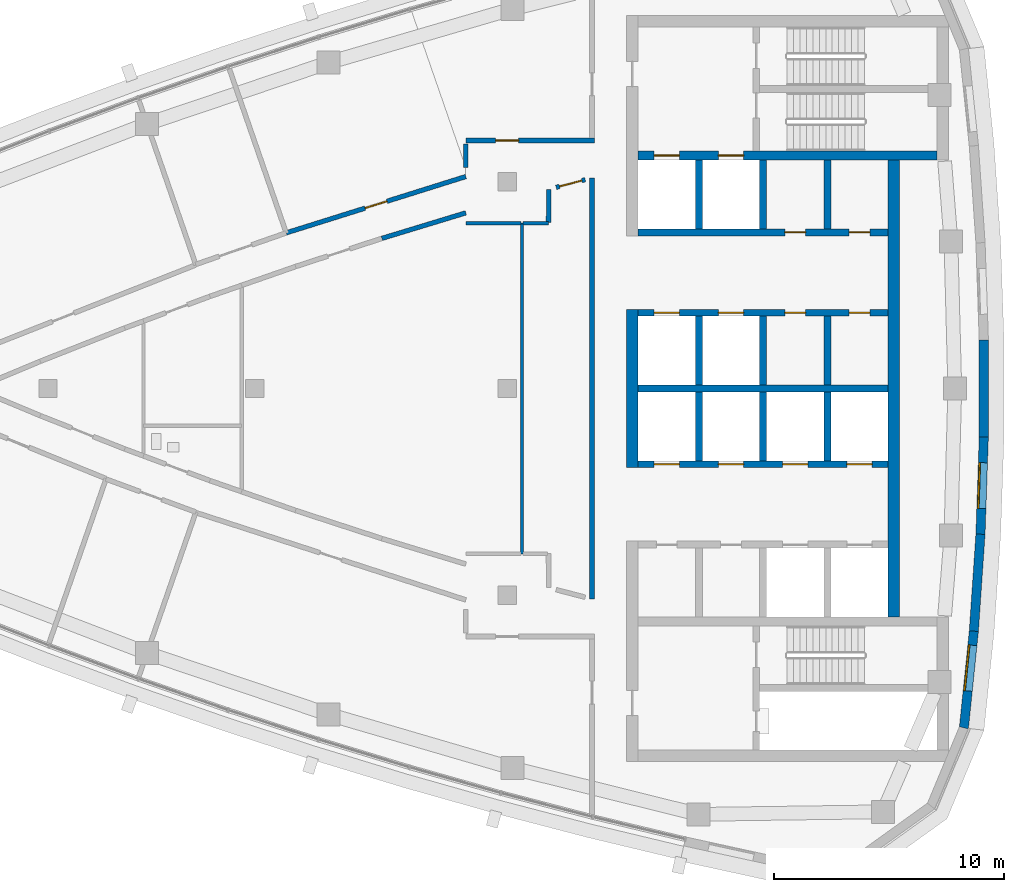
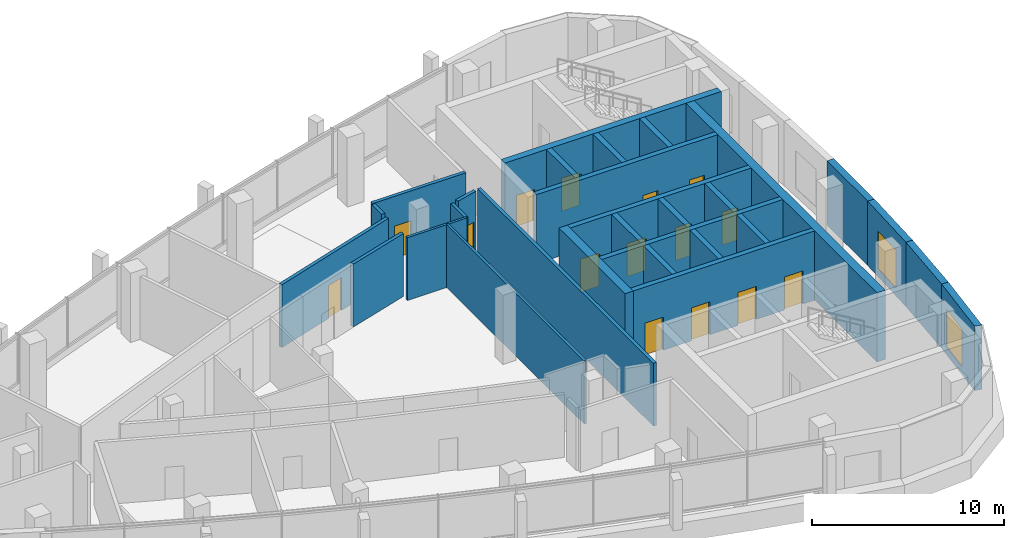
# One storey, part 9 of 15: 30 walls, 15 doors, 2 windows, 17 openings.
"""IFC4 building model written with IfcOpenShell, lengths in metres."""

import ifcopenshell
import ifcopenshell.guid

model = None  # the IFC model being written
_history = None  # IfcOwnerHistory: only IFC2X3 demands one
_inside = {}  # id of a spatial element -> (the spatial element, [elements in it])
_under = {}  # id of a project, library or spatial element -> (it, [spatial elements below it])
_declared = {}  # id of a project -> (the project, [libraries it declares])
_typed = {}  # id of a type object -> (the type object, [elements of that type])
_made_of = {}  # id of a material, layer set ... -> (it, [elements and type objects made of it])


def new_model(schema):
    """Start an empty IFC model of exactly this schema.

    Asked for "IFC4X3", IfcOpenShell would pick the latest addendum, in which some entities
    have other attributes; the version numbers below select the first issue.
    IFC2X3 requires an IfcOwnerHistory on every rooted entity: one is made here for all.
    """
    global model, _history
    if schema == "IFC4X3":
        model = ifcopenshell.file(schema_version=(4, 3, 0, 0))
    else:
        model = ifcopenshell.file(schema=schema)
    _inside.clear()
    _under.clear()
    _declared.clear()
    _typed.clear()
    _made_of.clear()
    _history = None
    if model.schema == "IFC2X3":
        org = make("IfcOrganization", Name="unknown")
        user = make(
            "IfcPersonAndOrganization",
            ThePerson=make("IfcPerson", FamilyName="unknown"),
            TheOrganization=org,
        )
        app = make(
            "IfcApplication",
            ApplicationDeveloper=org,
            Version="unknown",
            ApplicationFullName="unknown",
            ApplicationIdentifier="unknown",
        )
        _history = make(
            "IfcOwnerHistory",
            OwningUser=user,
            OwningApplication=app,
            ChangeAction="ADDED",
            CreationDate=0,
        )
    return model


def make(cls, **values):
    """One entity of the class cls with the attributes given. An attribute that is None is left unset."""
    return model.create_entity(
        cls, **{name: value for name, value in values.items() if value is not None}
    )


def rooted(cls, **values):
    """An entity with a GlobalId (a new one), such as an element, a storey or a relation."""
    return make(cls, GlobalId=ifcopenshell.guid.new(), OwnerHistory=_history, **values)


def si_unit(unit_type, name, prefix=None):
    """IfcSIUnit, for example si_unit("LENGTHUNIT", "METRE", prefix="MILLI")."""
    return make("IfcSIUnit", UnitType=unit_type, Prefix=prefix, Name=name)


def assignment(units):
    """IfcUnitAssignment: the units of a project."""
    return None if units is None else make("IfcUnitAssignment", Units=units)


def point(xyz):
    """IfcCartesianPoint."""
    return None if xyz is None else make("IfcCartesianPoint", Coordinates=xyz)


def direction(xyz):
    """IfcDirection."""
    return None if xyz is None else make("IfcDirection", DirectionRatios=xyz)


def frame(location, z_axis=None, x_axis=None):
    """IfcAxis2Placement3D, a coordinate frame: its origin and axes. An axis left out is left unset."""
    return make(
        "IfcAxis2Placement3D",
        Location=point(location),
        Axis=direction(z_axis),
        RefDirection=direction(x_axis),
    )


def frame_2d(location, x_axis=None):
    """IfcAxis2Placement2D, a coordinate frame in the plane: its origin and x axis."""
    return make(
        "IfcAxis2Placement2D", Location=point(location), RefDirection=direction(x_axis)
    )


def origin():
    """The frame at (0, 0, 0) with its axes left unset."""
    return frame((0.0, 0.0, 0.0))


def place(relative_to, where):
    """IfcLocalPlacement: puts the frame where relative to a parent placement (None: the world)."""
    return make(
        "IfcLocalPlacement", PlacementRelTo=relative_to, RelativePlacement=where
    )


def context(
    kind, dimensions, precision=None, world=None, true_north=None, identifier=None
):
    """IfcGeometricRepresentationContext, for example the 3D "Model" context."""
    return make(
        "IfcGeometricRepresentationContext",
        ContextIdentifier=identifier,
        ContextType=kind,
        CoordinateSpaceDimension=dimensions,
        Precision=precision,
        WorldCoordinateSystem=world,
        TrueNorth=true_north,
    )


def subcontext(parent, identifier, kind, view, scale=None):
    """IfcGeometricRepresentationSubContext, for example "Body" below "Model"."""
    return make(
        "IfcGeometricRepresentationSubContext",
        ContextIdentifier=identifier,
        ContextType=kind,
        ParentContext=parent,
        TargetScale=scale,
        TargetView=view,
    )


def project(units=None, contexts=None):
    """IfcProject with its units and contexts."""
    return rooted(
        "IfcProject",
        Name="project",
        RepresentationContexts=contexts,
        UnitsInContext=assignment(units),
    )


def spatial(cls, under=None, at=None, **own):
    """A site, building, storey or space (cls), placed at a placement, below another one or the project."""
    s = rooted(cls, ObjectPlacement=at, **own)
    if under is not None:
        _under.setdefault(under.id(), (under, []))[1].append(s)
    return s


def polyline(points):
    """IfcPolyline through the points."""
    return make("IfcPolyline", Points=[point(p) for p in points])


def profile(cls, at=None, kind="AREA", **sizes):
    """A parametric profile (cls). Its sizes go by their IFC names, for example OverallWidth=200.0."""
    return make(cls, ProfileType=kind, Position=at, **sizes)


def rectangle(**sizes):
    """IfcRectangleProfileDef."""
    return profile("IfcRectangleProfileDef", **sizes)


def outline(outer, holes=None, kind="AREA"):
    """IfcArbitraryClosedProfileDef: a profile drawn as a closed curve; with holes, ...WithVoids."""
    if holes is None:
        return make("IfcArbitraryClosedProfileDef", ProfileType=kind, OuterCurve=outer)
    return make(
        "IfcArbitraryProfileDefWithVoids",
        ProfileType=kind,
        OuterCurve=outer,
        InnerCurves=holes,
    )


def extrude(swept, where, along, depth):
    """IfcExtrudedAreaSolid: the profile swept, set in the frame where, extruded along a direction by depth."""
    return make(
        "IfcExtrudedAreaSolid",
        SweptArea=swept,
        Position=where,
        ExtrudedDirection=direction(along),
        Depth=depth,
    )


def shape(context_of_items, identifier, shape_type, items):
    """IfcShapeRepresentation: the items that make up one representation, for example the "Body"."""
    return make(
        "IfcShapeRepresentation",
        ContextOfItems=context_of_items,
        RepresentationIdentifier=identifier,
        RepresentationType=shape_type,
        Items=items,
    )


def material(Name=None, Category=None):
    """IfcMaterial."""
    return make("IfcMaterial", Name=Name, Category=Category)


def layer(
    of_material, thickness, ventilated=None, Name=None, Category=None, Priority=None
):
    """IfcMaterialLayer: one layer of a wall or slab, of a material (None: an air gap)."""
    return make(
        "IfcMaterialLayer",
        Material=of_material,
        LayerThickness=thickness,
        IsVentilated=ventilated,
        Name=Name,
        Category=Category,
        Priority=Priority,
    )


def layer_set(layers, Name=None):
    """IfcMaterialLayerSet."""
    return make("IfcMaterialLayerSet", MaterialLayers=layers, LayerSetName=Name)


def made_of(thing, what):
    """Note that an element or type object is made of a material, layer set ...; save() writes the relation."""
    if what is not None:
        _made_of.setdefault(what.id(), (what, []))[1].append(thing)
    return thing


def type_object(cls, material=None, **own):
    """A type object (cls), such as IfcWallType, which elements share."""
    return made_of(rooted(cls, **own), material)


def element(
    cls,
    number,
    at=None,
    inside=None,
    cuts=None,
    type_object=None,
    material=None,
    context=None,
    identifier="Body",
    shape_type=None,
    held_by="IfcProductDefinitionShape",
    body=None,
    shapes=None,
    **own,
):
    """One element of the class cls, such as IfcWall. Its Tag is "e" and its number.

    at: its placement. inside: the storey or other place that contains it. cuts: it is an
    opening in that element (IfcRelVoidsElement). A single representation is given by context,
    identifier, shape_type and body (its items); several are given by shapes. held_by: the class
    of the entity that holds the representations. save() writes the other relations.
    """
    e = rooted(cls, Tag="e%d" % number, ObjectPlacement=at, **own)
    if body is not None:
        shapes = [shape(context, identifier, shape_type, body)]
    if shapes is not None:
        e.Representation = make(held_by, Representations=shapes)
    if inside is not None:
        _inside.setdefault(inside.id(), (inside, []))[1].append(e)
    if cuts is not None:
        rooted(
            "IfcRelVoidsElement", RelatingBuildingElement=cuts, RelatedOpeningElement=e
        )
    if type_object is not None:
        _typed.setdefault(type_object.id(), (type_object, []))[1].append(e)
    return made_of(e, material)


def fill(opening, filler):
    """IfcRelFillsElement: the door or window that sits in an opening."""
    return rooted(
        "IfcRelFillsElement",
        RelatingOpeningElement=opening,
        RelatedBuildingElement=filler,
    )


def aggregate(whole, parts):
    """IfcRelAggregates: a whole, such as a stair, and the parts it consists of."""
    return rooted("IfcRelAggregates", RelatingObject=whole, RelatedObjects=parts)


def save(model, path):
    """Write the relations noted so far, then the file.

    IfcRelAggregates (storeys below a building ...), IfcRelContainedInSpatialStructure (elements
    in a storey), IfcRelDefinesByType, IfcRelAssociatesMaterial and IfcRelDeclares: one each for
    every whole, place, type object, material and project.
    """
    for whole, parts in _under.values():
        aggregate(whole, parts)
    for where, things in _inside.values():
        rooted(
            "IfcRelContainedInSpatialStructure",
            RelatedElements=things,
            RelatingStructure=where,
        )
    for kind, things in _typed.values():
        rooted("IfcRelDefinesByType", RelatedObjects=things, RelatingType=kind)
    for what, things in _made_of.values():
        rooted("IfcRelAssociatesMaterial", RelatedObjects=things, RelatingMaterial=what)
    for by, libraries in _declared.values():
        rooted("IfcRelDeclares", RelatingContext=by, RelatedDefinitions=libraries)
    model.write(path)


model = new_model("IFC4")

# Units and contexts
model_context = context("Model", 3, precision=1e-05, world=origin(), true_north=direction((0.0, 1.0)))
body_context = subcontext(model_context, "Body", "Model", "MODEL_VIEW")
ifc_project = project(units=[si_unit("LENGTHUNIT", "METRE"), si_unit("AREAUNIT", "SQUARE_METRE"), si_unit("VOLUMEUNIT", "CUBIC_METRE"), si_unit("PLANEANGLEUNIT", "RADIAN"), si_unit("MASSUNIT", "GRAM", prefix="KILO")], contexts=[model_context])

# Site, building, storey
site_placement = place(None, origin())
site = spatial("IfcSite", under=ifc_project, at=site_placement, CompositionType="ELEMENT")
building_placement = place(site_placement, origin())
building = spatial("IfcBuilding", under=site, at=building_placement, Name="Ostrand Prow Hotel Tower", CompositionType="ELEMENT")
storey_placement = place(building_placement, frame((0.0, 0.0, 318.60009765625)))
storey = spatial("IfcBuildingStorey", under=building, at=storey_placement, Name="C3", CompositionType="ELEMENT", Elevation=318.60009765625)

# Wall
ifc_material_1 = material(Name="Concrete C40/50", Category="concrete")
ifc_layer_1 = layer(ifc_material_1, 0.300048828125)
ifc_layer_set_1 = layer_set([ifc_layer_1], Name="Concrete C40/50")
wall_type_1 = type_object("IfcWallType", Name="Core wall 300 C40/50", PredefinedType="SHEAR", material=ifc_layer_set_1)
wall_1_placement = place(storey_placement, frame((50.699951171875, 0.0, 0.0), z_axis=(0.0, 0.0, 1.0), x_axis=(1.0, 0.0, 0.0)))
element("IfcWall", 1, at=wall_1_placement, inside=storey, type_object=wall_type_1, Name="Core wall PW-C", PredefinedType="SHEAR", context=body_context, shape_type="SweptSolid", body=[
    extrude(rectangle(XDim=10.900146484375, YDim=0.300048828125, at=frame_2d((5.4501953125, 0.0))), origin(), (0.0, 0.0, 1.0), 4.39990234375),
])

# Wall, openings, doors
wall_2_placement = place(storey_placement, frame((50.699951171875, 3.300048828125, 0.0), z_axis=(0.0, 0.0, 1.0), x_axis=(1.0, 0.0, 0.0)))
wall_2 = element("IfcWall", 2, at=wall_2_placement, inside=storey, type_object=wall_type_1, Name="Core wall PW-L1-N", PredefinedType="SHEAR", context=body_context, shape_type="SweptSolid", body=[
    extrude(rectangle(XDim=10.900146484375, YDim=0.300048828125, at=frame_2d((5.4501953125, 0.0))), origin(), (0.0, 0.0, 1.0), 4.39990234375),
])
opening_1_placement = place(wall_2_placement, frame((0.699951171875, 0.0, 0.0)))
opening_1 = element("IfcOpeningElement", 3, at=opening_1_placement, cuts=wall_2, Name="Opening LD", PredefinedType="OPENING", context=body_context, shape_type="SweptSolid", body=[
    extrude(rectangle(XDim=1.10009765625, YDim=2.10009765625, at=frame_2d((0.550048828125, 1.050048828125))), frame((0.0, 0.159912109375, 0.0), z_axis=(0.0, -1.0, 0.0), x_axis=(1.0, 0.0, 0.0)), (0.0, 0.0, 1.0), 0.320068359375),
])
opening_2_placement = place(wall_2_placement, frame((3.5, 0.0, 0.0)))
opening_2 = element("IfcOpeningElement", 4, at=opening_2_placement, cuts=wall_2, Name="Opening LD", PredefinedType="OPENING", context=body_context, shape_type="SweptSolid", body=[
    extrude(rectangle(XDim=1.10009765625, YDim=2.10009765625, at=frame_2d((0.550048828125, 1.050048828125))), frame((0.0, 0.159912109375, 0.0), z_axis=(0.0, -1.0, 0.0), x_axis=(1.0, 0.0, 0.0)), (0.0, 0.0, 1.0), 0.320068359375),
])
opening_3_placement = place(wall_2_placement, frame((6.39990234375, 0.0, 0.0)))
opening_3 = element("IfcOpeningElement", 5, at=opening_3_placement, cuts=wall_2, Name="Opening FD2", PredefinedType="OPENING", context=body_context, shape_type="SweptSolid", body=[
    extrude(rectangle(XDim=0.89990234375, YDim=2.10009765625, at=frame_2d((0.449951171875, 1.050048828125))), frame((0.0, 0.159912109375, 0.0), z_axis=(0.0, -1.0, 0.0), x_axis=(1.0, 0.0, 0.0)), (0.0, 0.0, 1.0), 0.320068359375),
])
opening_4_placement = place(wall_2_placement, frame((9.199951171875, 0.0, 0.0)))
opening_4 = element("IfcOpeningElement", 6, at=opening_4_placement, cuts=wall_2, Name="Opening FD2", PredefinedType="OPENING", context=body_context, shape_type="SweptSolid", body=[
    extrude(rectangle(XDim=0.89990234375, YDim=2.10009765625, at=frame_2d((0.449951171875, 1.050048828125))), frame((0.0, 0.159912109375, 0.0), z_axis=(0.0, -1.0, 0.0), x_axis=(1.0, 0.0, 0.0)), (0.0, 0.0, 1.0), 0.320068359375),
])
ifc_material_2 = material(Name="Steel fire door", Category="steel")
door_type_1 = type_object("IfcDoorType", Name="Fire door 900 EI120", OperationType="SINGLE_SWING_LEFT", PredefinedType="DOOR", material=ifc_material_2)
door_1_placement = place(opening_3_placement, origin())
door_1 = element("IfcDoor", 7, at=door_1_placement, inside=storey, type_object=door_type_1, Name="DOOR", OperationType="SINGLE_SWING_LEFT", OverallHeight=2.10009765625, OverallWidth=0.89990234375, PredefinedType="DOOR", context=body_context, shape_type="SweptSolid", body=[
    extrude(rectangle(XDim=0.89990234375, YDim=2.10009765625, at=frame_2d((0.449951171875, 1.050048828125))), frame((0.0, 0.02490234375, 0.0), z_axis=(0.0, -1.0, 0.0), x_axis=(1.0, 0.0, 0.0)), (0.0, 0.0, 1.0), 0.050048828125),
])
fill(opening_3, door_1)
door_2_placement = place(opening_4_placement, origin())
door_2 = element("IfcDoor", 8, at=door_2_placement, inside=storey, type_object=door_type_1, Name="DOOR", OperationType="SINGLE_SWING_LEFT", OverallHeight=2.10009765625, OverallWidth=0.89990234375, PredefinedType="DOOR", context=body_context, shape_type="SweptSolid", body=[
    extrude(rectangle(XDim=0.89990234375, YDim=2.10009765625, at=frame_2d((0.449951171875, 1.050048828125))), frame((0.0, 0.02490234375, 0.0), z_axis=(0.0, -1.0, 0.0), x_axis=(1.0, 0.0, 0.0)), (0.0, 0.0, 1.0), 0.050048828125),
])
fill(opening_4, door_2)
ifc_material_3 = material(Name="Stainless steel door", Category="steel")
door_type_2 = type_object("IfcDoorType", Name="Lift landing door 1100", OperationType="DOUBLE_DOOR_SLIDING", PredefinedType="DOOR", material=ifc_material_3)
door_3_placement = place(opening_1_placement, origin())
door_3 = element("IfcDoor", 9, at=door_3_placement, inside=storey, type_object=door_type_2, Name="LIFT LANDING DOOR", OperationType="DOUBLE_DOOR_SLIDING", OverallHeight=2.10009765625, OverallWidth=1.10009765625, PredefinedType="DOOR", context=body_context, shape_type="SweptSolid", body=[
    extrude(rectangle(XDim=1.10009765625, YDim=2.10009765625, at=frame_2d((0.550048828125, 1.050048828125))), frame((0.0, 0.02490234375, 0.0), z_axis=(0.0, -1.0, 0.0), x_axis=(1.0, 0.0, 0.0)), (0.0, 0.0, 1.0), 0.050048828125),
])
fill(opening_1, door_3)
door_4_placement = place(opening_2_placement, origin())
door_4 = element("IfcDoor", 10, at=door_4_placement, inside=storey, type_object=door_type_2, Name="LIFT LANDING DOOR", OperationType="DOUBLE_DOOR_SLIDING", OverallHeight=2.10009765625, OverallWidth=1.10009765625, PredefinedType="DOOR", context=body_context, shape_type="SweptSolid", body=[
    extrude(rectangle(XDim=1.10009765625, YDim=2.10009765625, at=frame_2d((0.550048828125, 1.050048828125))), frame((0.0, 0.02490234375, 0.0), z_axis=(0.0, -1.0, 0.0), x_axis=(1.0, 0.0, 0.0)), (0.0, 0.0, 1.0), 0.050048828125),
])
fill(opening_2, door_4)

wall_3_placement = place(storey_placement, frame((50.699951171875, 6.800048828125, 0.0), z_axis=(0.0, 0.0, 1.0), x_axis=(1.0, 0.0, 0.0)))
wall_3 = element("IfcWall", 11, at=wall_3_placement, inside=storey, type_object=wall_type_1, Name="Core wall PW-L2-N", PredefinedType="SHEAR", context=body_context, shape_type="SweptSolid", body=[
    extrude(rectangle(XDim=10.900146484375, YDim=0.300048828125, at=frame_2d((5.4501953125, 0.0))), origin(), (0.0, 0.0, 1.0), 4.39990234375),
])
opening_5_placement = place(wall_3_placement, frame((6.39990234375, 0.0, 0.0)))
opening_5 = element("IfcOpeningElement", 12, at=opening_5_placement, cuts=wall_3, Name="Opening FD2", PredefinedType="OPENING", context=body_context, shape_type="SweptSolid", body=[
    extrude(rectangle(XDim=0.89990234375, YDim=2.10009765625, at=frame_2d((0.449951171875, 1.050048828125))), frame((0.0, 0.159912109375, 0.0), z_axis=(0.0, -1.0, 0.0), x_axis=(1.0, 0.0, 0.0)), (0.0, 0.0, 1.0), 0.320068359375),
])
opening_6_placement = place(wall_3_placement, frame((9.199951171875, 0.0, 0.0)))
opening_6 = element("IfcOpeningElement", 13, at=opening_6_placement, cuts=wall_3, Name="Opening FD2", PredefinedType="OPENING", context=body_context, shape_type="SweptSolid", body=[
    extrude(rectangle(XDim=0.89990234375, YDim=2.10009765625, at=frame_2d((0.449951171875, 1.050048828125))), frame((0.0, 0.159912109375, 0.0), z_axis=(0.0, -1.0, 0.0), x_axis=(1.0, 0.0, 0.0)), (0.0, 0.0, 1.0), 0.320068359375),
])
door_5_placement = place(opening_5_placement, origin())
door_5 = element("IfcDoor", 14, at=door_5_placement, inside=storey, type_object=door_type_1, Name="DOOR", OperationType="SINGLE_SWING_LEFT", OverallHeight=2.10009765625, OverallWidth=0.89990234375, PredefinedType="DOOR", context=body_context, shape_type="SweptSolid", body=[
    extrude(rectangle(XDim=0.89990234375, YDim=2.10009765625, at=frame_2d((0.449951171875, 1.050048828125))), frame((0.0, 0.02490234375, 0.0), z_axis=(0.0, -1.0, 0.0), x_axis=(1.0, 0.0, 0.0)), (0.0, 0.0, 1.0), 0.050048828125),
])
fill(opening_5, door_5)
door_6_placement = place(opening_6_placement, origin())
door_6 = element("IfcDoor", 15, at=door_6_placement, inside=storey, type_object=door_type_1, Name="DOOR", OperationType="SINGLE_SWING_LEFT", OverallHeight=2.10009765625, OverallWidth=0.89990234375, PredefinedType="DOOR", context=body_context, shape_type="SweptSolid", body=[
    extrude(rectangle(XDim=0.89990234375, YDim=2.10009765625, at=frame_2d((0.449951171875, 1.050048828125))), frame((0.0, 0.02490234375, 0.0), z_axis=(0.0, -1.0, 0.0), x_axis=(1.0, 0.0, 0.0)), (0.0, 0.0, 1.0), 0.050048828125),
])
fill(opening_6, door_6)

# Walls
for number, where, z_axis, x_axis, name in (
    (16, (53.35009765625, 0.14990234375, 0.0), (0.0, 0.0, 1.0), (0.0, 1.0, 0.0), "Core wall PW-R1-NB"),
    (17, (53.35009765625, 6.949951171875, 0.0), (0.0, 0.0, 1.0), (0.0, 1.0, 0.0), "Core wall PW-R1-NA"),
    (18, (56.14990234375, 0.14990234375, 0.0), (0.0, 0.0, 1.0), (0.0, 1.0, 0.0), "Core wall PW-R2-NB"),
    (19, (56.14990234375, 6.949951171875, 0.0), (0.0, 0.0, 1.0), (0.0, 1.0, 0.0), "Core wall PW-R2-NA"),
    (20, (58.949951171875, 0.14990234375, 0.0), (0.0, 0.0, 1.0), (0.0, 1.0, 0.0), "Core wall PW-R3-NB"),
    (21, (58.949951171875, 6.949951171875, 0.0), (0.0, 0.0, 1.0), (0.0, 1.0, 0.0), "Core wall PW-R3-NA"),
):
    element("IfcWall", number, at=place(storey_placement, frame(where, z_axis=z_axis, x_axis=x_axis)), inside=storey, type_object=wall_type_1, Name=name, PredefinedType="SHEAR", context=body_context, shape_type="SweptSolid", body=[
        extrude(rectangle(XDim=3.0, YDim=0.300048828125, at=frame_2d((1.5, 0.0))), origin(), (0.0, 0.0, 1.0), 4.39990234375),
    ])

# Wall, openings, doors
wall_4_placement = place(storey_placement, frame((50.699951171875, -3.300048828125, 0.0), z_axis=(0.0, 0.0, 1.0), x_axis=(1.0, 0.0, 0.0)))
wall_4 = element("IfcWall", 22, at=wall_4_placement, inside=storey, type_object=wall_type_1, Name="Core wall PW-L1-S", PredefinedType="SHEAR", context=body_context, shape_type="SweptSolid", body=[
    extrude(rectangle(XDim=10.900146484375, YDim=0.300048828125, at=frame_2d((5.4501953125, 0.0))), origin(), (0.0, 0.0, 1.0), 4.39990234375),
])
opening_7_placement = place(wall_4_placement, frame((0.699951171875, 0.0, 0.0)))
opening_7 = element("IfcOpeningElement", 23, at=opening_7_placement, cuts=wall_4, Name="Opening LD", PredefinedType="OPENING", context=body_context, shape_type="SweptSolid", body=[
    extrude(rectangle(XDim=1.10009765625, YDim=2.10009765625, at=frame_2d((0.550048828125, 1.050048828125))), frame((0.0, 0.159912109375, 0.0), z_axis=(0.0, -1.0, 0.0), x_axis=(1.0, 0.0, 0.0)), (0.0, 0.0, 1.0), 0.320068359375),
])
opening_8_placement = place(wall_4_placement, frame((3.5, 0.0, 0.0)))
opening_8 = element("IfcOpeningElement", 24, at=opening_8_placement, cuts=wall_4, Name="Opening LD", PredefinedType="OPENING", context=body_context, shape_type="SweptSolid", body=[
    extrude(rectangle(XDim=1.10009765625, YDim=2.10009765625, at=frame_2d((0.550048828125, 1.050048828125))), frame((0.0, 0.159912109375, 0.0), z_axis=(0.0, -1.0, 0.0), x_axis=(1.0, 0.0, 0.0)), (0.0, 0.0, 1.0), 0.320068359375),
])
opening_9_placement = place(wall_4_placement, frame((6.300048828125, 0.0, 0.0)))
opening_9 = element("IfcOpeningElement", 25, at=opening_9_placement, cuts=wall_4, Name="Opening LD", PredefinedType="OPENING", context=body_context, shape_type="SweptSolid", body=[
    extrude(rectangle(XDim=1.10009765625, YDim=2.10009765625, at=frame_2d((0.550048828125, 1.050048828125))), frame((0.0, 0.159912109375, 0.0), z_axis=(0.0, -1.0, 0.0), x_axis=(1.0, 0.0, 0.0)), (0.0, 0.0, 1.0), 0.320068359375),
])
opening_10_placement = place(wall_4_placement, frame((9.10009765625, 0.0, 0.0)))
opening_10 = element("IfcOpeningElement", 26, at=opening_10_placement, cuts=wall_4, Name="Opening LD", PredefinedType="OPENING", context=body_context, shape_type="SweptSolid", body=[
    extrude(rectangle(XDim=1.10009765625, YDim=2.10009765625, at=frame_2d((0.550048828125, 1.050048828125))), frame((0.0, 0.159912109375, 0.0), z_axis=(0.0, -1.0, 0.0), x_axis=(1.0, 0.0, 0.0)), (0.0, 0.0, 1.0), 0.320068359375),
])
door_7_placement = place(opening_7_placement, origin())
door_7 = element("IfcDoor", 27, at=door_7_placement, inside=storey, type_object=door_type_2, Name="LIFT LANDING DOOR", OperationType="DOUBLE_DOOR_SLIDING", OverallHeight=2.10009765625, OverallWidth=1.10009765625, PredefinedType="DOOR", context=body_context, shape_type="SweptSolid", body=[
    extrude(rectangle(XDim=1.10009765625, YDim=2.10009765625, at=frame_2d((0.550048828125, 1.050048828125))), frame((0.0, 0.02490234375, 0.0), z_axis=(0.0, -1.0, 0.0), x_axis=(1.0, 0.0, 0.0)), (0.0, 0.0, 1.0), 0.050048828125),
])
fill(opening_7, door_7)
door_8_placement = place(opening_8_placement, origin())
door_8 = element("IfcDoor", 28, at=door_8_placement, inside=storey, type_object=door_type_2, Name="LIFT LANDING DOOR", OperationType="DOUBLE_DOOR_SLIDING", OverallHeight=2.10009765625, OverallWidth=1.10009765625, PredefinedType="DOOR", context=body_context, shape_type="SweptSolid", body=[
    extrude(rectangle(XDim=1.10009765625, YDim=2.10009765625, at=frame_2d((0.550048828125, 1.050048828125))), frame((0.0, 0.02490234375, 0.0), z_axis=(0.0, -1.0, 0.0), x_axis=(1.0, 0.0, 0.0)), (0.0, 0.0, 1.0), 0.050048828125),
])
fill(opening_8, door_8)
door_9_placement = place(opening_9_placement, origin())
door_9 = element("IfcDoor", 29, at=door_9_placement, inside=storey, type_object=door_type_2, Name="LIFT LANDING DOOR", OperationType="DOUBLE_DOOR_SLIDING", OverallHeight=2.10009765625, OverallWidth=1.10009765625, PredefinedType="DOOR", context=body_context, shape_type="SweptSolid", body=[
    extrude(rectangle(XDim=1.10009765625, YDim=2.10009765625, at=frame_2d((0.550048828125, 1.050048828125))), frame((0.0, 0.02490234375, 0.0), z_axis=(0.0, -1.0, 0.0), x_axis=(1.0, 0.0, 0.0)), (0.0, 0.0, 1.0), 0.050048828125),
])
fill(opening_9, door_9)
door_10_placement = place(opening_10_placement, origin())
door_10 = element("IfcDoor", 30, at=door_10_placement, inside=storey, type_object=door_type_2, Name="LIFT LANDING DOOR", OperationType="DOUBLE_DOOR_SLIDING", OverallHeight=2.10009765625, OverallWidth=1.10009765625, PredefinedType="DOOR", context=body_context, shape_type="SweptSolid", body=[
    extrude(rectangle(XDim=1.10009765625, YDim=2.10009765625, at=frame_2d((0.550048828125, 1.050048828125))), frame((0.0, 0.02490234375, 0.0), z_axis=(0.0, -1.0, 0.0), x_axis=(1.0, 0.0, 0.0)), (0.0, 0.0, 1.0), 0.050048828125),
])
fill(opening_10, door_10)

# Walls
for number, where, z_axis, x_axis, name in (
    (31, (53.35009765625, -3.14990234375, 0.0), (0.0, 0.0, 1.0), (0.0, 1.0, 0.0), "Core wall PW-R1-SB"),
    (32, (56.14990234375, -3.14990234375, 0.0), (0.0, 0.0, 1.0), (0.0, 1.0, 0.0), "Core wall PW-R2-SB"),
    (33, (58.949951171875, -3.14990234375, 0.0), (0.0, 0.0, 1.0), (0.0, 1.0, 0.0), "Core wall PW-R3-SB"),
):
    element("IfcWall", number, at=place(storey_placement, frame(where, z_axis=z_axis, x_axis=x_axis)), inside=storey, type_object=wall_type_1, Name=name, PredefinedType="SHEAR", context=body_context, shape_type="SweptSolid", body=[
        extrude(rectangle(XDim=3.0, YDim=0.300048828125, at=frame_2d((1.5, 0.0))), origin(), (0.0, 0.0, 1.0), 4.39990234375),
    ])

# Wall, openings, doors
ifc_material_4 = material(Name="Concrete C40/50", Category="concrete")
ifc_layer_2 = layer(ifc_material_4, 0.39990234375)
ifc_layer_set_2 = layer_set([ifc_layer_2], Name="Concrete C40/50")
wall_type_2 = type_object("IfcWallType", Name="Core wall 400 C40/50", PredefinedType="SHEAR", material=ifc_layer_set_2)
wall_5_placement = place(storey_placement, frame((50.699951171875, 10.14990234375, 0.0), z_axis=(0.0, 0.0, 1.0), x_axis=(1.0, 0.0, 0.0)))
wall_5 = element("IfcWall", 34, at=wall_5_placement, inside=storey, type_object=wall_type_2, Name="Core wall PW-BN", PredefinedType="SHEAR", context=body_context, shape_type="SweptSolid", body=[
    extrude(rectangle(XDim=13.02001953125, YDim=0.39990234375, at=frame_2d((6.510009765625, 0.0))), origin(), (0.0, 0.0, 1.0), 4.39990234375),
])
opening_11_placement = place(wall_5_placement, frame((0.699951171875, 0.0, 0.0)))
opening_11 = element("IfcOpeningElement", 35, at=opening_11_placement, cuts=wall_5, Name="Opening LD", PredefinedType="OPENING", context=body_context, shape_type="SweptSolid", body=[
    extrude(rectangle(XDim=1.10009765625, YDim=2.10009765625, at=frame_2d((0.550048828125, 1.050048828125))), frame((0.0, 0.2099609375, 0.0), z_axis=(0.0, -1.0, 0.0), x_axis=(1.0, 0.0, 0.0)), (0.0, 0.0, 1.0), 0.419921875),
])
opening_12_placement = place(wall_5_placement, frame((3.5, 0.0, 0.0)))
opening_12 = element("IfcOpeningElement", 36, at=opening_12_placement, cuts=wall_5, Name="Opening LD", PredefinedType="OPENING", context=body_context, shape_type="SweptSolid", body=[
    extrude(rectangle(XDim=1.10009765625, YDim=2.10009765625, at=frame_2d((0.550048828125, 1.050048828125))), frame((0.0, 0.2099609375, 0.0), z_axis=(0.0, -1.0, 0.0), x_axis=(1.0, 0.0, 0.0)), (0.0, 0.0, 1.0), 0.419921875),
])
door_11_placement = place(opening_11_placement, origin())
door_11 = element("IfcDoor", 37, at=door_11_placement, inside=storey, type_object=door_type_2, Name="LIFT LANDING DOOR", OperationType="DOUBLE_DOOR_SLIDING", OverallHeight=2.10009765625, OverallWidth=1.10009765625, PredefinedType="DOOR", context=body_context, shape_type="SweptSolid", body=[
    extrude(rectangle(XDim=1.10009765625, YDim=2.10009765625, at=frame_2d((0.550048828125, 1.050048828125))), frame((0.0, 0.02490234375, 0.0), z_axis=(0.0, -1.0, 0.0), x_axis=(1.0, 0.0, 0.0)), (0.0, 0.0, 1.0), 0.050048828125),
])
fill(opening_11, door_11)
door_12_placement = place(opening_12_placement, origin())
door_12 = element("IfcDoor", 38, at=door_12_placement, inside=storey, type_object=door_type_2, Name="LIFT LANDING DOOR", OperationType="DOUBLE_DOOR_SLIDING", OverallHeight=2.10009765625, OverallWidth=1.10009765625, PredefinedType="DOOR", context=body_context, shape_type="SweptSolid", body=[
    extrude(rectangle(XDim=1.10009765625, YDim=2.10009765625, at=frame_2d((0.550048828125, 1.050048828125))), frame((0.0, 0.02490234375, 0.0), z_axis=(0.0, -1.0, 0.0), x_axis=(1.0, 0.0, 0.0)), (0.0, 0.0, 1.0), 0.050048828125),
])
fill(opening_12, door_12)

# Walls
ifc_material_5 = material(Name="Concrete C40/50", Category="concrete")
ifc_layer_3 = layer(ifc_material_5, 0.5)
ifc_layer_set_3 = layer_set([ifc_layer_3], Name="Concrete C40/50")
wall_type_3 = type_object("IfcWallType", Name="Core wall 500 C40/50", PredefinedType="SHEAR", material=ifc_layer_set_3)
wall_6_placement = place(storey_placement, frame((50.449951171875, -3.449951171875, 0.0), z_axis=(0.0, 0.0, 1.0), x_axis=(0.0, 1.0, 0.0)))
element("IfcWall", 39, at=wall_6_placement, inside=storey, type_object=wall_type_3, Name="Core wall CW-W-C", PredefinedType="SHEAR", context=body_context, shape_type="SweptSolid", body=[
    extrude(rectangle(XDim=6.89990234375, YDim=0.5, at=frame_2d((3.449951171875, 0.0))), origin(), (0.0, 0.0, 1.0), 4.39990234375),
])
wall_7_placement = place(storey_placement, frame((61.85009765625, -9.949951171875, 0.0), z_axis=(0.0, 0.0, 1.0), x_axis=(0.0, 1.0, 0.0)))
element("IfcWall", 40, at=wall_7_placement, inside=storey, type_object=wall_type_3, Name="Core wall CW-E-C", PredefinedType="SHEAR", context=body_context, shape_type="SweptSolid", body=[
    extrude(rectangle(XDim=19.89990234375, YDim=0.5, at=frame_2d((9.949951171875, 0.0))), origin(), (0.0, 0.0, 1.0), 4.39990234375),
])
ifc_material_6 = material(Name="Plasterboard partition")
ifc_layer_4 = layer(ifc_material_6, 0.14990234375)
ifc_layer_set_4 = layer_set([ifc_layer_4], Name="Plasterboard partition")
wall_type_4 = type_object("IfcWallType", Name="Partition 150 room partition", PredefinedType="PARTITIONING", material=ifc_layer_set_4)
wall_8_placement = place(storey_placement, frame((45.646484375, -7.199951171875, 0.0), z_axis=(0.0, 0.0, 1.0), x_axis=(0.0, 1.0, 0.0)))
element("IfcWall", 41, at=wall_8_placement, inside=storey, type_object=wall_type_4, Name="ROOM PARTITION", PredefinedType="PARTITIONING", context=body_context, shape_type="SweptSolid", body=[
    extrude(rectangle(XDim=14.39990234375, YDim=0.14990234375, at=frame_2d((7.199951171875, 0.0))), origin(), (0.0, 0.0, 1.0), 4.0),
])
wall_9_placement = place(storey_placement, frame((43.198974609375, 7.195068359375, 0.0), z_axis=(0.0, 0.0, 1.0), x_axis=(1.0, 0.0, 0.0)))
element("IfcWall", 42, at=wall_9_placement, inside=storey, type_object=wall_type_4, Name="ROOM PARTITION", PredefinedType="PARTITIONING", context=body_context, shape_type="SweptSolid", body=[
    extrude(rectangle(XDim=2.407470703125, YDim=0.14990234375, at=frame_2d((1.20361328125, 0.0))), origin(), (0.0, 0.0, 1.0), 4.0),
])
wall_10_placement = place(storey_placement, frame((45.6865234375, 7.195068359375, 0.0), z_axis=(0.0, 0.0, 1.0), x_axis=(0.999999784722, 0.000656167838, 0.0)))
element("IfcWall", 43, at=wall_10_placement, inside=storey, type_object=wall_type_4, Name="ROOM PARTITION", PredefinedType="PARTITIONING", context=body_context, shape_type="SweptSolid", body=[
    extrude(rectangle(XDim=1.1162109375, YDim=0.14990234375, at=frame_2d((0.55810546875, 0.0))), origin(), (0.0, 0.0, 1.0), 4.0),
])

# Wall, opening, door
ifc_material_7 = material(Name="Plasterboard partition")
ifc_layer_5 = layer(ifc_material_7, 0.199951171875)
ifc_layer_set_5 = layer_set([ifc_layer_5], Name="Plasterboard partition")
wall_type_5 = type_object("IfcWallType", Name="Partition 200 corridor wall", PredefinedType="PARTITIONING", material=ifc_layer_set_5)
wall_11_placement = place(storey_placement, frame((43.199951171875, 9.2333984375, 0.0), z_axis=(0.0, 0.0, 1.0), x_axis=(-0.954140318271, -0.299359738524, 0.0)))
wall_11 = element("IfcWall", 44, at=wall_11_placement, inside=storey, type_object=wall_type_5, Name="CORRIDOR WALL", PredefinedType="PARTITIONING", context=body_context, shape_type="SweptSolid", body=[
    extrude(rectangle(XDim=8.2001953125, YDim=0.199951171875, at=frame_2d((4.10009765625, 0.0))), origin(), (0.0, 0.0, 1.0), 4.0),
])
opening_13_placement = place(wall_11_placement, frame((3.60009765625, 0.0, 0.0)))
opening_13 = element("IfcOpeningElement", 45, at=opening_13_placement, cuts=wall_11, Name="Opening D1", PredefinedType="OPENING", context=body_context, shape_type="SweptSolid", body=[
    extrude(rectangle(XDim=1.0, YDim=2.10009765625, at=frame_2d((0.5, 1.050048828125))), frame((0.0, 0.10986328125, 0.0), z_axis=(0.0, -1.0, 0.0), x_axis=(1.0, 0.0, 0.0)), (0.0, 0.0, 1.0), 0.219970703125),
])
ifc_material_8 = material(Name="Timber door leaf", Category="wood")
door_type_3 = type_object("IfcDoorType", Name="Guest room door 1000", OperationType="SINGLE_SWING_LEFT", PredefinedType="DOOR", material=ifc_material_8)
door_13_placement = place(opening_13_placement, origin())
door_13 = element("IfcDoor", 46, at=door_13_placement, inside=storey, type_object=door_type_3, Name="DOOR", OperationType="SINGLE_SWING_LEFT", OverallHeight=2.10009765625, OverallWidth=1.0, PredefinedType="DOOR", context=body_context, shape_type="SweptSolid", body=[
    extrude(rectangle(XDim=1.0, YDim=2.10009765625, at=frame_2d((0.5, 1.050048828125))), frame((0.0, 0.02490234375, 0.0), z_axis=(0.0, -1.0, 0.0), x_axis=(1.0, 0.0, 0.0)), (0.0, 0.0, 1.0), 0.050048828125),
])
fill(opening_13, door_13)

# Wall
wall_12_placement = place(storey_placement, frame((39.543701171875, 6.539306640625, 0.0), z_axis=(0.0, 0.0, 1.0), x_axis=(0.956743485636, 0.290932814743, 0.0)))
element("IfcWall", 47, at=wall_12_placement, inside=storey, type_object=wall_type_5, Name="CORRIDOR WALL", PredefinedType="PARTITIONING", context=body_context, shape_type="SweptSolid", body=[
    extrude(rectangle(XDim=3.821533203125, YDim=0.199951171875, at=frame_2d((1.91064453125, 0.0))), origin(), (0.0, 0.0, 1.0), 4.0),
])

# Wall, opening, door
wall_13_placement = place(storey_placement, frame((48.794921875, 10.80517578125, 0.0), z_axis=(0.0, 0.0, 1.0), x_axis=(-0.999999999048, -4.3628114e-05, 0.0)))
wall_13 = element("IfcWall", 48, at=wall_13_placement, inside=storey, type_object=wall_type_5, Name="CORRIDOR WALL", PredefinedType="PARTITIONING", context=body_context, shape_type="SweptSolid", body=[
    extrude(rectangle(XDim=5.595947265625, YDim=0.199951171875, at=frame_2d((2.7978515625, 0.0))), origin(), (0.0, 0.0, 1.0), 4.0),
])
opening_14_placement = place(wall_13_placement, frame((3.29541015625, 0.0, 0.0)))
opening_14 = element("IfcOpeningElement", 49, at=opening_14_placement, cuts=wall_13, Name="Opening D1R", PredefinedType="OPENING", context=body_context, shape_type="SweptSolid", body=[
    extrude(rectangle(XDim=1.0, YDim=2.10009765625, at=frame_2d((0.5, 1.050048828125))), frame((0.0, 0.10986328125, 0.0), z_axis=(0.0, -1.0, 0.0), x_axis=(1.0, 0.0, 0.0)), (0.0, 0.0, 1.0), 0.219970703125),
])
ifc_material_9 = material(Name="Timber door leaf", Category="wood")
door_type_4 = type_object("IfcDoorType", Name="Guest room door 1000 right", OperationType="SINGLE_SWING_RIGHT", PredefinedType="DOOR", material=ifc_material_9)
door_14_placement = place(opening_14_placement, origin())
door_14 = element("IfcDoor", 50, at=door_14_placement, inside=storey, type_object=door_type_4, Name="DOOR", OperationType="SINGLE_SWING_RIGHT", OverallHeight=2.10009765625, OverallWidth=1.0, PredefinedType="DOOR", context=body_context, shape_type="SweptSolid", body=[
    extrude(rectangle(XDim=1.0, YDim=2.10009765625, at=frame_2d((0.5, 1.050048828125))), frame((0.0, 0.02490234375, 0.0), z_axis=(0.0, -1.0, 0.0), x_axis=(1.0, 0.0, 0.0)), (0.0, 0.0, 1.0), 0.050048828125),
])
fill(opening_14, door_14)

wall_14_placement = place(storey_placement, frame((47.13427734375, 8.764404296875, 0.0), z_axis=(0.0, 0.0, 1.0), x_axis=(0.967678694968, 0.252186326563, 0.0)))
wall_14 = element("IfcWall", 51, at=wall_14_placement, inside=storey, type_object=wall_type_5, Name="CORRIDOR WALL", PredefinedType="PARTITIONING", context=body_context, shape_type="SweptSolid", body=[
    extrude(rectangle(XDim=1.307861328125, YDim=0.199951171875, at=frame_2d((0.65380859375, 0.0))), origin(), (0.0, 0.0, 1.0), 4.0),
])
opening_15_placement = place(wall_14_placement, frame((0.154052734375, 0.0, 0.0)))
opening_15 = element("IfcOpeningElement", 52, at=opening_15_placement, cuts=wall_14, Name="Opening D1", PredefinedType="OPENING", context=body_context, shape_type="SweptSolid", body=[
    extrude(rectangle(XDim=1.0, YDim=2.10009765625, at=frame_2d((0.5, 1.050048828125))), frame((0.0, 0.10986328125, 0.0), z_axis=(0.0, -1.0, 0.0), x_axis=(1.0, 0.0, 0.0)), (0.0, 0.0, 1.0), 0.219970703125),
])
door_15_placement = place(opening_15_placement, origin())
door_15 = element("IfcDoor", 53, at=door_15_placement, inside=storey, type_object=door_type_3, Name="DOOR", OperationType="SINGLE_SWING_LEFT", OverallHeight=2.10009765625, OverallWidth=1.0, PredefinedType="DOOR", context=body_context, shape_type="SweptSolid", body=[
    extrude(rectangle(XDim=1.0, YDim=2.10009765625, at=frame_2d((0.5, 1.050048828125))), frame((0.0, 0.02490234375, 0.0), z_axis=(0.0, -1.0, 0.0), x_axis=(1.0, 0.0, 0.0)), (0.0, 0.0, 1.0), 0.050048828125),
])
fill(opening_15, door_15)

# Walls
wall_15_placement = place(storey_placement, frame((46.802978515625, 7.23583984375, 0.0), z_axis=(0.0, 0.0, 1.0), x_axis=(0.001365419447, 0.999999067814, 0.0)))
element("IfcWall", 54, at=wall_15_placement, inside=storey, type_object=wall_type_5, Name="CORRIDOR WALL", PredefinedType="PARTITIONING", context=body_context, shape_type="SweptSolid", body=[
    extrude(rectangle(XDim=1.430419921875, YDim=0.199951171875, at=frame_2d((0.71533203125, 0.0))), origin(), (0.0, 0.0, 1.0), 4.0),
])
wall_16_placement = place(storey_placement, frame((48.695068359375, 9.166015625, 0.0), z_axis=(0.0, 0.0, 1.0), x_axis=(0.0, -1.0, 0.0)))
element("IfcWall", 55, at=wall_16_placement, inside=storey, type_object=wall_type_5, Name="CORRIDOR WALL", PredefinedType="PARTITIONING", context=body_context, shape_type="SweptSolid", body=[
    extrude(rectangle(XDim=18.33203125, YDim=0.199951171875, at=frame_2d((9.166015625, 0.0))), origin(), (0.0, 0.0, 1.0), 4.0),
])
wall_17_placement = place(storey_placement, frame((43.199951171875, 9.632080078125, 0.0), z_axis=(0.0, 0.0, 1.0), x_axis=(0.0, 1.0, 0.0)))
element("IfcWall", 56, at=wall_17_placement, inside=storey, type_object=wall_type_5, Name="CORRIDOR WALL", PredefinedType="PARTITIONING", context=body_context, shape_type="SweptSolid", body=[
    extrude(rectangle(XDim=1.022705078125, YDim=0.199951171875, at=frame_2d((0.51123046875, 0.0))), origin(), (0.0, 0.0, 1.0), 4.0),
])

# Wall, opening, window
ifc_material_10 = material(Name="Precast concrete C40/50", Category="concrete")
ifc_layer_6 = layer(ifc_material_10, 0.39990234375)
ifc_layer_set_6 = layer_set([ifc_layer_6], Name="Precast concrete C40/50")
wall_type_6 = type_object("IfcWallType", Name="Stone-faced precast wall 400 mm", PredefinedType="NOTDEFINED", material=ifc_layer_set_6)
wall_18_placement = place(storey_placement, frame((64.898193359375, -14.782470703125, 0.0), z_axis=(0.0, 0.0, 1.0), x_axis=(0.102249826987, 0.994758751096, 0.0)))
wall_18 = element("IfcWall", 57, at=wall_18_placement, inside=storey, type_object=wall_type_6, Name="Stone-faced wall back 5", PredefinedType="NOTDEFINED", context=body_context, shape_type="SweptSolid", body=[
    extrude(outline(polyline([(-0.029541015625, -0.199951171875), (4.23681640625, -0.199951171875), (4.22998046875, 0.199951171875), (0.029541015625, 0.199951171875), (-0.029541015625, -0.199951171875)])), origin(), (0.0, 0.0, 1.0), 4.099853515625),
])
opening_16_placement = place(wall_18_placement, frame((1.61669921875, 0.0, 0.5)))
opening_16 = element("IfcOpeningElement", 58, at=opening_16_placement, cuts=wall_18, Name="Opening WL1", PredefinedType="OPENING", context=body_context, shape_type="SweptSolid", body=[
    extrude(rectangle(XDim=2.0, YDim=2.39990234375, at=frame_2d((1.0, 1.199951171875))), frame((0.0, 0.2099609375, 0.0), z_axis=(0.0, -1.0, 0.0), x_axis=(1.0, 0.0, 0.0)), (0.0, 0.0, 1.0), 0.419921875),
])
ifc_material_11 = material(Name="Insulated glass in bronze frame", Category="glass")
window_type = type_object("IfcWindowType", Name="Crown lounge window 2000x2400", PartitioningType="SINGLE_PANEL", PredefinedType="WINDOW", material=ifc_material_11)
window_1_placement = place(opening_16_placement, origin())
window_1 = element("IfcWindow", 59, at=window_1_placement, inside=storey, type_object=window_type, Name="Window back 5.1", OverallHeight=2.39990234375, OverallWidth=2.0, PartitioningType="SINGLE_PANEL", PredefinedType="WINDOW", context=body_context, shape_type="SweptSolid", body=[
    extrude(rectangle(XDim=2.0, YDim=2.39990234375, at=frame_2d((1.0, 1.199951171875))), frame((0.0, 0.169921875, 0.0), z_axis=(0.0, -1.0, 0.0), x_axis=(1.0, 0.0, 0.0)), (0.0, 0.0, 1.0), 0.06005859375),
])
fill(opening_16, window_1)

# Wall
wall_19_placement = place(storey_placement, frame((65.3310546875, -10.5712890625, 0.0), z_axis=(0.0, 0.0, 1.0), x_axis=(0.068279584479, 0.997666225921, 0.0)))
element("IfcWall", 60, at=wall_19_placement, inside=storey, type_object=wall_type_6, Name="Stone-faced wall back 6", PredefinedType="NOTDEFINED", context=body_context, shape_type="SweptSolid", body=[
    extrude(outline(polyline([(-0.00341796875, -0.199951171875), (4.23681640625, -0.199951171875), (4.22998046875, 0.199951171875), (0.00341796875, 0.199951171875), (-0.00341796875, -0.199951171875)])), origin(), (0.0, 0.0, 1.0), 4.099853515625),
])

# Wall, opening, window
wall_20_placement = place(storey_placement, frame((65.6201171875, -6.34765625, 0.0), z_axis=(0.0, 0.0, 1.0), x_axis=(0.034082898699, 0.999419009233, 0.0)))
wall_20 = element("IfcWall", 61, at=wall_20_placement, inside=storey, type_object=wall_type_6, Name="Stone-faced wall back 7", PredefinedType="NOTDEFINED", context=body_context, shape_type="SweptSolid", body=[
    extrude(outline(polyline([(-0.00341796875, -0.199951171875), (4.23681640625, -0.199951171875), (4.22998046875, 0.199951171875), (0.00341796875, 0.199951171875), (-0.00341796875, -0.199951171875)])), origin(), (0.0, 0.0, 1.0), 4.099853515625),
])
opening_17_placement = place(wall_20_placement, frame((1.11669921875, 0.0, 0.5)))
opening_17 = element("IfcOpeningElement", 62, at=opening_17_placement, cuts=wall_20, Name="Opening WL1", PredefinedType="OPENING", context=body_context, shape_type="SweptSolid", body=[
    extrude(rectangle(XDim=2.0, YDim=2.39990234375, at=frame_2d((1.0, 1.199951171875))), frame((0.0, 0.2099609375, 0.0), z_axis=(0.0, -1.0, 0.0), x_axis=(1.0, 0.0, 0.0)), (0.0, 0.0, 1.0), 0.419921875),
])
window_2_placement = place(opening_17_placement, origin())
window_2 = element("IfcWindow", 63, at=window_2_placement, inside=storey, type_object=window_type, Name="Window back 7.1", OverallHeight=2.39990234375, OverallWidth=2.0, PartitioningType="SINGLE_PANEL", PredefinedType="WINDOW", context=body_context, shape_type="SweptSolid", body=[
    extrude(rectangle(XDim=2.0, YDim=2.39990234375, at=frame_2d((1.0, 1.199951171875))), frame((0.0, 0.169921875, 0.0), z_axis=(0.0, -1.0, 0.0), x_axis=(1.0, 0.0, 0.0)), (0.0, 0.0, 1.0), 0.06005859375),
])
fill(opening_17, window_2)

# Wall
wall_21_placement = place(storey_placement, frame((65.764404296875, -2.11669921875, 0.0), z_axis=(0.0, 0.0, 1.0), x_axis=(0.0, 1.0, 0.0)))
element("IfcWall", 64, at=wall_21_placement, inside=storey, type_object=wall_type_6, Name="Stone-faced wall back 8", PredefinedType="NOTDEFINED", context=body_context, shape_type="SweptSolid", body=[
    extrude(outline(polyline([(-0.00341796875, -0.199951171875), (4.23681640625, -0.199951171875), (4.22998046875, 0.199951171875), (0.00341796875, 0.199951171875), (-0.00341796875, -0.199951171875)])), origin(), (0.0, 0.0, 1.0), 4.099853515625),
])

save(model, "model.ifc")
